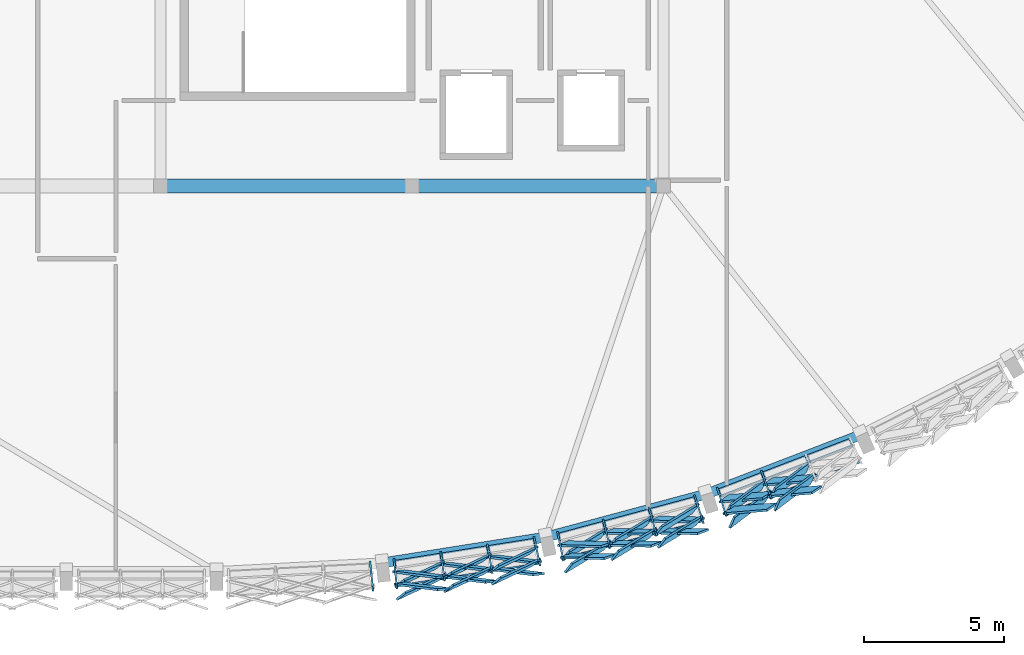
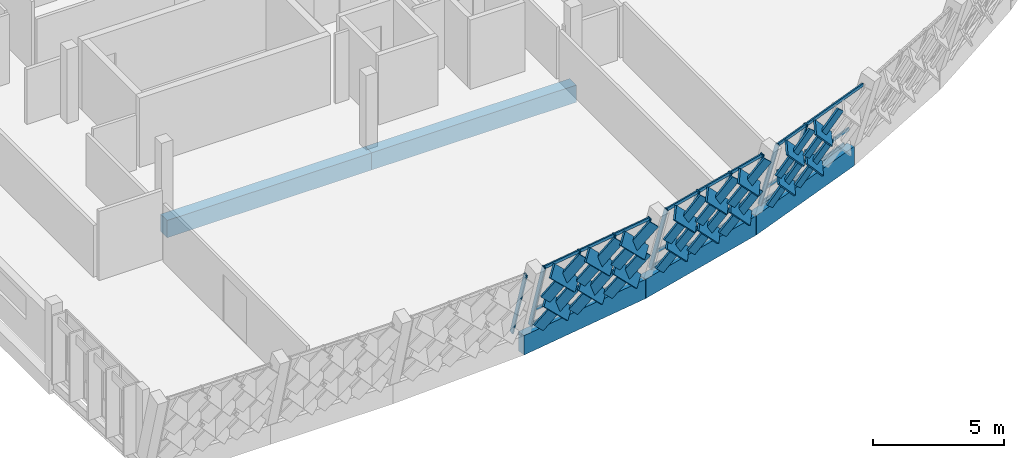
# One storey, part 5 of 24: 52 members, 5 beams, 4 elements without a shape of their own.
"""IFC4 building model written with IfcOpenShell, lengths in metres."""

from ifc_helpers import new_model, si_unit, direction, frame, origin, origin_2d, place, context, subcontext, project, spatial, rectangle, hollow_rectangle, extrude, material, material_profile, profile_set, type_object, element, aggregate, save


model = new_model("IFC4")

# Units and contexts
model_context = context("Model", 3, precision=1e-05, world=origin(), true_north=direction((0.0, 1.0)))
body_context = subcontext(model_context, "Body", "Model", "MODEL_VIEW")
ifc_project = project(units=[si_unit("LENGTHUNIT", "METRE"), si_unit("AREAUNIT", "SQUARE_METRE"), si_unit("VOLUMEUNIT", "CUBIC_METRE"), si_unit("PLANEANGLEUNIT", "RADIAN"), si_unit("MASSUNIT", "GRAM", prefix="KILO")], contexts=[model_context])

# Site, building, storey
site_placement = place(None, origin())
site = spatial("IfcSite", under=ifc_project, at=site_placement, CompositionType="ELEMENT")
building_placement = place(site_placement, origin())
building = spatial("IfcBuilding", under=site, at=building_placement, Name="Chiffa Square Polytechnic", CompositionType="ELEMENT")
storey_placement = place(building_placement, frame((0.0, 0.0, 26.39990234375)))
storey = spatial("IfcBuildingStorey", under=building, at=storey_placement, Name="L06", CompositionType="ELEMENT", Elevation=26.39990234375)

# Beams
ifc_material_1 = material(Name="Concrete C40/50", Category="concrete")
ifc_material_profile_1 = material_profile(ifc_material_1, rectangle(XDim=0.5, YDim=0.800048828125, at=origin_2d()), Name="RC 500x800")
ifc_profile_set_1 = profile_set([ifc_material_profile_1], Name="Concrete C40/50")
beam_type_1 = type_object("IfcBeamType", Name="BM-RC-500X800", PredefinedType="BEAM", material=ifc_profile_set_1)
for number, where, z_axis, x_axis, name in (
    (1, (121.199951171875, 14.39990234375, -0.619873046875), (1.0, 0.0, 0.0), (0.0, 1.0, 0.0), "Primary floor girder BM-V1-L06-X-1212-0144"),
    (2, (130.199951171875, 14.39990234375, -0.619873046875), (1.0, 0.0, 0.0), (0.0, 1.0, 0.0), "Primary floor girder BM-V1-L06-X-1302-0144"),
):
    element("IfcBeam", number, at=place(storey_placement, frame(where, z_axis=z_axis, x_axis=x_axis)), inside=storey, type_object=beam_type_1, Name=name, PredefinedType="BEAM", context=body_context, shape_type="SweptSolid", body=[
        extrude(rectangle(XDim=0.5, YDim=0.800048828125, at=origin_2d()), origin(), (0.0, 0.0, 1.0), 9.0),
    ])

# Curtain wall, member
ifc_material_2 = material(Name="Aluminium EN AW-6060 T66 and glulam shading", Category="wood")
curtain_wall_type_1 = type_object("IfcCurtainWallType", Name="CW-PROW-LEAN-150", PredefinedType="USERDEFINED", material=ifc_material_2)
curtain_wall_1_placement = place(storey_placement, origin())
curtain_wall_1 = element("IfcCurtainWall", 3, at=curtain_wall_1_placement, inside=storey, type_object=curtain_wall_type_1, Name="Outward-leaning diamond-fin prow curtain wall CW-V1-L06-097", ObjectType="CURTAIN WALL", PredefinedType="USERDEFINED")
ifc_material_3 = material(Name="Aluminium EN AW-6060 T66", Category="aluminium")
ifc_material_profile_2 = material_profile(ifc_material_3, hollow_rectangle(XDim=0.06494140625, YDim=0.179931640625, WallThickness=0.00390625, at=origin_2d()), Name="ALU 65x180x4")
ifc_profile_set_2 = profile_set([ifc_material_profile_2], Name="Aluminium EN AW-6060 T66")
member_type_1 = type_object("IfcMemberType", Name="CWM-ALU-75X180", PredefinedType="MULLION", material=ifc_profile_set_2)
member_1_placement = place(storey_placement, frame((128.702880859375, 0.884033203125, 0.0), z_axis=(0.028495519451, -0.270853565651, 0.962198706788), x_axis=(0.994511331447, 0.104628923459, 0.0)))
member_1 = element("IfcMember", 4, at=member_1_placement, type_object=member_type_1, Name="Leaning prow mullion CW-V1-L06-097-M03", PredefinedType="MULLION", context=body_context, shape_type="SweptSolid", body=[
    extrude(hollow_rectangle(XDim=0.06494140625, YDim=0.179931640625, WallThickness=0.00390625, at=origin_2d()), origin(), (0.0, 0.0, 1.0), 3.34130859375),
])
aggregate(curtain_wall_1, [member_1])

# Curtain wall, members
curtain_wall_type_2 = type_object("IfcCurtainWallType", Name="CW-PROW-LEAN-300", PredefinedType="USERDEFINED", material=ifc_material_2)
curtain_wall_2_placement = place(storey_placement, origin())
curtain_wall_2 = element("IfcCurtainWall", 5, at=curtain_wall_2_placement, inside=storey, type_object=curtain_wall_type_2, Name="Outward-leaning diamond-fin prow curtain wall CW-V1-L06-098", ObjectType="CURTAIN WALL", PredefinedType="USERDEFINED")
member_2_placement = place(storey_placement, frame((129.556884765625, 0.97412109375, 0.0), z_axis=(0.028495519451, -0.270853565651, 0.962198706788), x_axis=(0.994511331447, 0.104628923459, 0.0)))
member_2 = element("IfcMember", 6, at=member_2_placement, type_object=member_type_1, Name="Leaning prow mullion CW-V1-L06-098-M00", PredefinedType="MULLION", context=body_context, shape_type="SweptSolid", body=[
    extrude(hollow_rectangle(XDim=0.06494140625, YDim=0.179931640625, WallThickness=0.00390625, at=origin_2d()), origin(), (0.0, 0.0, 1.0), 3.34130859375),
])
member_3_placement = place(storey_placement, frame((131.229736328125, 1.239013671875, 0.0), z_axis=(0.037778869994, -0.269347997678, 0.96230162274), x_axis=(0.99030629966, 0.138900802204, 0.0)))
member_3 = element("IfcMember", 7, at=member_3_placement, type_object=member_type_1, Name="Leaning prow mullion CW-V1-L06-098-M01", PredefinedType="MULLION", context=body_context, shape_type="SweptSolid", body=[
    extrude(hollow_rectangle(XDim=0.06494140625, YDim=0.179931640625, WallThickness=0.00390625, at=origin_2d()), origin(), (0.0, 0.0, 1.0), 3.341064453125),
])
member_4_placement = place(storey_placement, frame((132.90234375, 1.50390625, 0.0), z_axis=(0.04720494273, -0.267884396361, 0.962293948629), x_axis=(0.984826798838, 0.173540128764, 0.0)))
member_4 = element("IfcMember", 8, at=member_4_placement, type_object=member_type_1, Name="Leaning prow mullion CW-V1-L06-098-M02", PredefinedType="MULLION", context=body_context, shape_type="SweptSolid", body=[
    extrude(hollow_rectangle(XDim=0.06494140625, YDim=0.179931640625, WallThickness=0.00390625, at=origin_2d()), origin(), (0.0, 0.0, 1.0), 3.341064453125),
])
member_5_placement = place(storey_placement, frame((134.574951171875, 1.76904296875, 0.0), z_axis=(0.056552881333, -0.266397681317, 0.962202705776), x_axis=(0.978201106396, 0.207659807008, 0.0)))
member_5 = element("IfcMember", 9, at=member_5_placement, type_object=member_type_1, Name="Leaning prow mullion CW-V1-L06-098-M03", PredefinedType="MULLION", context=body_context, shape_type="SweptSolid", body=[
    extrude(hollow_rectangle(XDim=0.06494140625, YDim=0.179931640625, WallThickness=0.00390625, at=origin_2d()), origin(), (0.0, 0.0, 1.0), 3.34130859375),
])

curtain_wall_3_placement = place(storey_placement, origin())
curtain_wall_3 = element("IfcCurtainWall", 10, at=curtain_wall_3_placement, inside=storey, type_object=curtain_wall_type_1, Name="Outward-leaning diamond-fin prow curtain wall CW-V1-L06-099", ObjectType="CURTAIN WALL", PredefinedType="USERDEFINED")
member_6_placement = place(storey_placement, frame((135.4150390625, 1.947021484375, 0.0), z_axis=(0.056552881333, -0.266397681317, 0.962202705776), x_axis=(0.978201106396, 0.207659807008, 0.0)))
member_6 = element("IfcMember", 11, at=member_6_placement, type_object=member_type_1, Name="Leaning prow mullion CW-V1-L06-099-M00", PredefinedType="MULLION", context=body_context, shape_type="SweptSolid", body=[
    extrude(hollow_rectangle(XDim=0.06494140625, YDim=0.179931640625, WallThickness=0.00390625, at=origin_2d()), origin(), (0.0, 0.0, 1.0), 3.34130859375),
])
member_7_placement = place(storey_placement, frame((137.051025390625, 2.3857421875, 0.0), z_axis=(0.065765457679, -0.263938703486, 0.962294791308), x_axis=(0.970331832665, 0.241777034717, 0.0)))
member_7 = element("IfcMember", 12, at=member_7_placement, type_object=member_type_1, Name="Leaning prow mullion CW-V1-L06-099-M01", PredefinedType="MULLION", context=body_context, shape_type="SweptSolid", body=[
    extrude(hollow_rectangle(XDim=0.06494140625, YDim=0.179931640625, WallThickness=0.00390625, at=origin_2d()), origin(), (0.0, 0.0, 1.0), 3.341064453125),
])
member_8_placement = place(storey_placement, frame((138.68701171875, 2.82421875, 0.0), z_axis=(0.074901746765, -0.261388827493, 0.962323027467), x_axis=(0.961310688805, 0.275466440041, 0.0)))
member_8 = element("IfcMember", 13, at=member_8_placement, type_object=member_type_1, Name="Leaning prow mullion CW-V1-L06-099-M02", PredefinedType="MULLION", context=body_context, shape_type="SweptSolid", body=[
    extrude(hollow_rectangle(XDim=0.06494140625, YDim=0.179931640625, WallThickness=0.00390625, at=origin_2d()), origin(), (0.0, 0.0, 1.0), 3.341064453125),
])
member_9_placement = place(storey_placement, frame((140.322998046875, 3.262939453125, 0.0), z_axis=(0.084101974166, -0.258882097714, 0.962240571492), x_axis=(0.951071542737, 0.308970743915, 0.0)))
member_9 = element("IfcMember", 14, at=member_9_placement, type_object=member_type_1, Name="Leaning prow mullion CW-V1-L06-099-M03", PredefinedType="MULLION", context=body_context, shape_type="SweptSolid", body=[
    extrude(hollow_rectangle(XDim=0.06494140625, YDim=0.179931640625, WallThickness=0.00390625, at=origin_2d()), origin(), (0.0, 0.0, 1.0), 3.34130859375),
])

curtain_wall_4_placement = place(storey_placement, origin())
curtain_wall_4 = element("IfcCurtainWall", 15, at=curtain_wall_4_placement, inside=storey, type_object=curtain_wall_type_2, Name="Outward-leaning diamond-fin prow curtain wall CW-V1-L06-100", ObjectType="CURTAIN WALL", PredefinedType="USERDEFINED")
member_10_placement = place(storey_placement, frame((141.138916015625, 3.528076171875, 0.0), z_axis=(0.084101974166, -0.258882097714, 0.962240571492), x_axis=(0.951071542737, 0.308970743915, 0.0)))
member_10 = element("IfcMember", 16, at=member_10_placement, type_object=member_type_1, Name="Leaning prow mullion CW-V1-L06-100-M00", PredefinedType="MULLION", context=body_context, shape_type="SweptSolid", body=[
    extrude(hollow_rectangle(XDim=0.06494140625, YDim=0.179931640625, WallThickness=0.00390625, at=origin_2d()), origin(), (0.0, 0.0, 1.0), 3.34130859375),
])
member_11_placement = place(storey_placement, frame((142.72021484375, 4.135009765625, 0.0), z_axis=(0.093023326241, -0.255540119296, 0.962312791251), x_axis=(0.939675684953, 0.342066670559, 0.0)))
member_11 = element("IfcMember", 17, at=member_11_placement, type_object=member_type_1, Name="Leaning prow mullion CW-V1-L06-100-M01", PredefinedType="MULLION", context=body_context, shape_type="SweptSolid", body=[
    extrude(hollow_rectangle(XDim=0.06494140625, YDim=0.179931640625, WallThickness=0.00390625, at=origin_2d()), origin(), (0.0, 0.0, 1.0), 3.341064453125),
])

# Member
ifc_material_4 = material(Name="Glulam GL28h", Category="wood")
ifc_material_profile_3 = material_profile(ifc_material_4, rectangle(XDim=0.080078125, YDim=0.580078125, at=origin_2d()), Name="GL28h 80x580")
ifc_profile_set_3 = profile_set([ifc_material_profile_3], Name="Glulam GL28h")
member_type_2 = type_object("IfcMemberType", Name="CWM-GL-80X580", PredefinedType="MULLION", material=ifc_profile_set_3)
member_12_placement = place(storey_placement, frame((129.708984375, 0.60693359375, 0.0400390625), z_axis=(0.700040885538, -0.091626079049, 0.708200127234), x_axis=(0.01833205312, 0.993713204587, 0.110444569166)))
member_12 = element("IfcMember", 18, at=member_12_placement, type_object=member_type_2, Name="Diamond glulam fin CW-V1-L06-098-DF01A", PredefinedType="MULLION", context=body_context, shape_type="SweptSolid", body=[
    extrude(rectangle(XDim=0.080078125, YDim=0.580078125, at=origin_2d()), origin(), (0.0, 0.0, 1.0), 2.214111328125),
])

member_13_placement = place(storey_placement, frame((131.197998046875, 0.843017578125, 0.0400390625), z_axis=(-0.645068596612, -0.302874232713, 0.701536673898), x_axis=(0.519114193586, -0.847403428469, 0.111480417277)))
member_13 = element("IfcMember", 19, at=member_13_placement, type_object=member_type_2, Name="Diamond glulam fin CW-V1-L06-098-DF01B", PredefinedType="MULLION", context=body_context, shape_type="SweptSolid", body=[
    extrude(rectangle(XDim=0.080078125, YDim=0.580078125, at=origin_2d()), origin(), (0.0, 0.0, 1.0), 2.2353515625),
])

member_14_placement = place(storey_placement, frame((129.756103515625, 0.166015625, 1.608154296875), z_axis=(0.703331111699, -0.090415730229, 0.705088890172), x_axis=(0.016534600081, 0.993690595711, 0.110930640472)))
member_14 = element("IfcMember", 20, at=member_14_placement, type_object=member_type_2, Name="Diamond glulam fin CW-V1-L06-098-DF02A", PredefinedType="MULLION", context=body_context, shape_type="SweptSolid", body=[
    extrude(rectangle(XDim=0.080078125, YDim=0.580078125, at=origin_2d()), origin(), (0.0, 0.0, 1.0), 2.22216796875),
])

member_15_placement = place(storey_placement, frame((131.259033203125, 0.404052734375, 1.608154296875), z_axis=(-0.648820776566, -0.302543692091, 0.698211224682), x_axis=(0.516399078806, -0.848993637867, 0.111990152554)))
member_15 = element("IfcMember", 21, at=member_15_placement, type_object=member_type_2, Name="Diamond glulam fin CW-V1-L06-098-DF02B", PredefinedType="MULLION", context=body_context, shape_type="SweptSolid", body=[
    extrude(rectangle(XDim=0.080078125, YDim=0.580078125, at=origin_2d()), origin(), (0.0, 0.0, 1.0), 2.244140625),
])

member_16_placement = place(storey_placement, frame((131.382080078125, 0.8720703125, 0.0400390625), z_axis=(0.70349565716, -0.090433763105, 0.704922403423), x_axis=(0.016556096374, 0.993687347197, 0.110956530645)))
member_16 = element("IfcMember", 22, at=member_16_placement, type_object=member_type_2, Name="Diamond glulam fin CW-V1-L06-098-DF03A", PredefinedType="MULLION", context=body_context, shape_type="SweptSolid", body=[
    extrude(rectangle(XDim=0.080078125, YDim=0.580078125, at=origin_2d()), origin(), (0.0, 0.0, 1.0), 2.224609375),
])

member_17_placement = place(storey_placement, frame((132.87109375, 1.10791015625, 0.0400390625), z_axis=(-0.641345543775, -0.303281280238, 0.704766882407), x_axis=(0.52189919263, -0.845756771149, 0.110980704572)))
member_17 = element("IfcMember", 23, at=member_17_placement, type_object=member_type_2, Name="Diamond glulam fin CW-V1-L06-098-DF03B", PredefinedType="MULLION", context=body_context, shape_type="SweptSolid", body=[
    extrude(rectangle(XDim=0.080078125, YDim=0.580078125, at=origin_2d()), origin(), (0.0, 0.0, 1.0), 2.22509765625),
])

member_18_placement = place(storey_placement, frame((131.444091796875, 0.43310546875, 1.608154296875), z_axis=(0.706995404019, -0.088661399824, 0.701638550022), x_axis=(0.013991907224, 0.993669885492, 0.111464726257)))
member_18 = element("IfcMember", 24, at=member_18_placement, type_object=member_type_2, Name="Diamond glulam fin CW-V1-L06-098-DF04A", PredefinedType="MULLION", context=body_context, shape_type="SweptSolid", body=[
    extrude(rectangle(XDim=0.080078125, YDim=0.580078125, at=origin_2d()), origin(), (0.0, 0.0, 1.0), 2.233154296875),
])

member_19_placement = place(storey_placement, frame((132.947021484375, 0.6708984375, 1.608154296875), z_axis=(-0.644912028183, -0.302664715837, 0.701771006591), x_axis=(0.51900093141, -0.847477549595, 0.111444318507)))
member_19 = element("IfcMember", 25, at=member_19_placement, type_object=member_type_2, Name="Diamond glulam fin CW-V1-L06-098-DF04B", PredefinedType="MULLION", context=body_context, shape_type="SweptSolid", body=[
    extrude(rectangle(XDim=0.080078125, YDim=0.580078125, at=origin_2d()), origin(), (0.0, 0.0, 1.0), 2.232666015625),
])

member_20_placement = place(storey_placement, frame((133.054931640625, 1.136962890625, 0.0400390625), z_axis=(0.706997643006, -0.088593184252, 0.701644910541), x_axis=(0.013896139165, 0.993671339298, 0.111463746457)))
member_20 = element("IfcMember", 26, at=member_20_placement, type_object=member_type_2, Name="Diamond glulam fin CW-V1-L06-098-DF05A", PredefinedType="MULLION", context=body_context, shape_type="SweptSolid", body=[
    extrude(rectangle(XDim=0.080078125, YDim=0.580078125, at=origin_2d()), origin(), (0.0, 0.0, 1.0), 2.23486328125),
])

member_21_placement = place(storey_placement, frame((134.5439453125, 1.373046875, 0.0400390625), z_axis=(-0.637287635107, -0.303591081407, 0.708305672312), x_axis=(0.524810806117, -0.844025635616, 0.110428004624)))
member_21 = element("IfcMember", 27, at=member_21_placement, type_object=member_type_2, Name="Diamond glulam fin CW-V1-L06-098-DF05B", PredefinedType="MULLION", context=body_context, shape_type="SweptSolid", body=[
    extrude(rectangle(XDim=0.080078125, YDim=0.580078125, at=origin_2d()), origin(), (0.0, 0.0, 1.0), 2.2138671875),
])

member_22_placement = place(storey_placement, frame((133.133056640625, 0.700927734375, 1.608154296875), z_axis=(0.710415544576, -0.087373821764, 0.698337718654), x_axis=(0.012139970027, 0.993637333193, 0.111970849836)))
member_22 = element("IfcMember", 28, at=member_22_placement, type_object=member_type_2, Name="Diamond glulam fin CW-V1-L06-098-DF06A", PredefinedType="MULLION", context=body_context, shape_type="SweptSolid", body=[
    extrude(rectangle(XDim=0.080078125, YDim=0.580078125, at=origin_2d()), origin(), (0.0, 0.0, 1.0), 2.24365234375),
])

member_23_placement = place(storey_placement, frame((134.635009765625, 0.93896484375, 1.608154296875), z_axis=(-0.641140568042, -0.30327036292, 0.70495805477), x_axis=(0.52201894581, -0.845686761498, 0.110950987566)))
member_23 = element("IfcMember", 29, at=member_23_placement, type_object=member_type_2, Name="Diamond glulam fin CW-V1-L06-098-DF06B", PredefinedType="MULLION", context=body_context, shape_type="SweptSolid", body=[
    extrude(rectangle(XDim=0.080078125, YDim=0.580078125, at=origin_2d()), origin(), (0.0, 0.0, 1.0), 2.22265625),
])

member_24_placement = place(storey_placement, frame((135.60498046875, 1.597900390625, 0.0400390625), z_axis=(0.705612592706, -0.017976688436, 0.708369753509), x_axis=(-0.15867948148, 0.97028188008, 0.182685235709)))
member_24 = element("IfcMember", 30, at=member_24_placement, type_object=member_type_2, Name="Diamond glulam fin CW-V1-L06-099-DF01A", PredefinedType="MULLION", context=body_context, shape_type="SweptSolid", body=[
    extrude(rectangle(XDim=0.080078125, YDim=0.580078125, at=origin_2d()), origin(), (0.0, 0.0, 1.0), 2.213623046875),
])

member_25_placement = place(storey_placement, frame((137.06103515625, 1.988037109375, 0.0400390625), z_axis=(-0.610099857887, -0.36854967252, 0.701390976769), x_axis=(0.654826511309, -0.732918342345, 0.184480198236)))
member_25 = element("IfcMember", 31, at=member_25_placement, type_object=member_type_2, Name="Diamond glulam fin CW-V1-L06-099-DF01B", PredefinedType="MULLION", context=body_context, shape_type="SweptSolid", body=[
    extrude(rectangle(XDim=0.080078125, YDim=0.580078125, at=origin_2d()), origin(), (0.0, 0.0, 1.0), 2.23583984375),
])

member_26_placement = place(storey_placement, frame((135.697021484375, 1.1640625, 1.608154296875), z_axis=(0.709042527723, -0.016256900713, 0.704978302545), x_axis=(-0.160272978117, 0.969854415302, 0.183561939422)))
member_26 = element("IfcMember", 32, at=member_26_placement, type_object=member_type_2, Name="Diamond glulam fin CW-V1-L06-099-DF02A", PredefinedType="MULLION", context=body_context, shape_type="SweptSolid", body=[
    extrude(rectangle(XDim=0.080078125, YDim=0.580078125, at=origin_2d()), origin(), (0.0, 0.0, 1.0), 2.22265625),
])

member_27_placement = place(storey_placement, frame((137.1669921875, 1.55810546875, 1.608154296875), z_axis=(-0.613529376594, -0.368987880391, 0.698161620386), x_axis=(0.652677654829, -0.73462655542, 0.185298955633)))
member_27 = element("IfcMember", 33, at=member_27_placement, type_object=member_type_2, Name="Diamond glulam fin CW-V1-L06-099-DF02B", PredefinedType="MULLION", context=body_context, shape_type="SweptSolid", body=[
    extrude(rectangle(XDim=0.080078125, YDim=0.580078125, at=origin_2d()), origin(), (0.0, 0.0, 1.0), 2.244384765625),
])

member_28_placement = place(storey_placement, frame((137.240966796875, 2.037109375, 0.0400390625), z_axis=(0.709041100306, -0.01624428527, 0.704980028989), x_axis=(-0.160290626909, 0.969851582657, 0.183561495262)))
member_28 = element("IfcMember", 34, at=member_28_placement, type_object=member_type_2, Name="Diamond glulam fin CW-V1-L06-099-DF03A", PredefinedType="MULLION", context=body_context, shape_type="SweptSolid", body=[
    extrude(rectangle(XDim=0.080078125, YDim=0.580078125, at=origin_2d()), origin(), (0.0, 0.0, 1.0), 2.224365234375),
])

member_29_placement = place(storey_placement, frame((138.697021484375, 2.427001953125, 0.0400390625), z_axis=(-0.605938212896, -0.368655398862, 0.704934095531), x_axis=(0.65792374118, -0.730367845679, 0.183573311758)))
member_29 = element("IfcMember", 35, at=member_29_placement, type_object=member_type_2, Name="Diamond glulam fin CW-V1-L06-099-DF03B", PredefinedType="MULLION", context=body_context, shape_type="SweptSolid", body=[
    extrude(rectangle(XDim=0.080078125, YDim=0.580078125, at=origin_2d()), origin(), (0.0, 0.0, 1.0), 2.224365234375),
])

member_30_placement = place(storey_placement, frame((137.34912109375, 1.60693359375, 1.608154296875), z_axis=(0.712370959263, -0.014321761152, 0.701656970005), x_axis=(-0.16215010184, 0.969380936823, 0.184412428532)))
member_30 = element("IfcMember", 36, at=member_30_placement, type_object=member_type_2, Name="Diamond glulam fin CW-V1-L06-099-DF04A", PredefinedType="MULLION", context=body_context, shape_type="SweptSolid", body=[
    extrude(rectangle(XDim=0.080078125, YDim=0.580078125, at=origin_2d()), origin(), (0.0, 0.0, 1.0), 2.233154296875),
])

member_31_placement = place(storey_placement, frame((138.818115234375, 2.0009765625, 1.608154296875), z_axis=(-0.609509975638, -0.368985859691, 0.701674443703), x_axis=(0.655586777777, -0.732256564073, 0.184407974815)))
member_31 = element("IfcMember", 37, at=member_31_placement, type_object=member_type_2, Name="Diamond glulam fin CW-V1-L06-099-DF04B", PredefinedType="MULLION", context=body_context, shape_type="SweptSolid", body=[
    extrude(rectangle(XDim=0.080078125, YDim=0.580078125, at=origin_2d()), origin(), (0.0, 0.0, 1.0), 2.233154296875),
])

member_32_placement = place(storey_placement, frame((138.876953125, 2.47509765625, 0.0400390625), z_axis=(0.712586471164, -0.013869499132, 0.701447188396), x_axis=(-0.162716677891, 0.969275823248, 0.184465880865)))
member_32 = element("IfcMember", 38, at=member_32_placement, type_object=member_type_2, Name="Diamond glulam fin CW-V1-L06-099-DF05A", PredefinedType="MULLION", context=body_context, shape_type="SweptSolid", body=[
    extrude(rectangle(XDim=0.080078125, YDim=0.580078125, at=origin_2d()), origin(), (0.0, 0.0, 1.0), 2.235595703125),
])

member_33_placement = place(storey_placement, frame((140.333984375, 2.865966796875, 0.0400390625), z_axis=(-0.602373266497, -0.368435478886, 0.70809727136), x_axis=(0.660342566618, -0.728387221755, 0.18275598457)))
member_33 = element("IfcMember", 39, at=member_33_placement, type_object=member_type_2, Name="Diamond glulam fin CW-V1-L06-099-DF05B", PredefinedType="MULLION", context=body_context, shape_type="SweptSolid", body=[
    extrude(rectangle(XDim=0.080078125, YDim=0.580078125, at=origin_2d()), origin(), (0.0, 0.0, 1.0), 2.214599609375),
])

member_34_placement = place(storey_placement, frame((139.0, 2.050048828125, 1.608154296875), z_axis=(0.715702039264, -0.012512273414, 0.698293658862), x_axis=(-0.163819849936, 0.968937410423, 0.185265624038)))
member_34 = element("IfcMember", 40, at=member_34_placement, type_object=member_type_2, Name="Diamond glulam fin CW-V1-L06-099-DF06A", PredefinedType="MULLION", context=body_context, shape_type="SweptSolid", body=[
    extrude(rectangle(XDim=0.080078125, YDim=0.580078125, at=origin_2d()), origin(), (0.0, 0.0, 1.0), 2.243896484375),
])

member_35_placement = place(storey_placement, frame((140.469970703125, 2.444091796875, 1.608154296875), z_axis=(-0.605894743779, -0.368896219748, 0.704845471374), x_axis=(0.658139206056, -0.730167963714, 0.183596106217)))
member_35 = element("IfcMember", 41, at=member_35_placement, type_object=member_type_2, Name="Diamond glulam fin CW-V1-L06-099-DF06B", PredefinedType="MULLION", context=body_context, shape_type="SweptSolid", body=[
    extrude(rectangle(XDim=0.080078125, YDim=0.580078125, at=origin_2d()), origin(), (0.0, 0.0, 1.0), 2.22314453125),
])

member_36_placement = place(storey_placement, frame((141.364013671875, 3.200927734375, 0.0400390625), z_axis=(0.703749720466, 0.055576599673, 0.708270832741), x_axis=(-0.326531740987, 0.91070018242, 0.252986560647)))
member_36 = element("IfcMember", 42, at=member_36_placement, type_object=member_type_2, Name="Diamond glulam fin CW-V1-L06-100-DF01A", PredefinedType="MULLION", context=body_context, shape_type="SweptSolid", body=[
    extrude(rectangle(XDim=0.080078125, YDim=0.580078125, at=origin_2d()), origin(), (0.0, 0.0, 1.0), 2.214111328125),
])

member_37_placement = place(storey_placement, frame((142.77197265625, 3.740966796875, 0.0400390625), z_axis=(-0.568128322758, -0.430300959567, 0.701477934847), x_axis=(0.764062707809, -0.59243237606, 0.255405674038)))
member_37 = element("IfcMember", 43, at=member_37_placement, type_object=member_type_2, Name="Diamond glulam fin CW-V1-L06-100-DF01B", PredefinedType="MULLION", context=body_context, shape_type="SweptSolid", body=[
    extrude(rectangle(XDim=0.080078125, YDim=0.580078125, at=origin_2d()), origin(), (0.0, 0.0, 1.0), 2.2353515625),
])

member_38_placement = place(storey_placement, frame((141.501953125, 2.779052734375, 1.608154296875), z_axis=(0.706849572427, 0.057997913635, 0.70498221536), x_axis=(-0.328141761875, 0.909793327057, 0.254163502802)))
member_38 = element("IfcMember", 44, at=member_38_placement, type_object=member_type_2, Name="Diamond glulam fin CW-V1-L06-100-DF02A", PredefinedType="MULLION", context=body_context, shape_type="SweptSolid", body=[
    extrude(rectangle(XDim=0.080078125, YDim=0.580078125, at=origin_2d()), origin(), (0.0, 0.0, 1.0), 2.22265625),
])

member_39_placement = place(storey_placement, frame((142.922119140625, 3.323974609375, 1.608154296875), z_axis=(-0.571865038946, -0.430530814138, 0.69829334474), x_axis=(0.761432155274, -0.59532892019, 0.256523974903)))
member_39 = element("IfcMember", 45, at=member_39_placement, type_object=member_type_2, Name="Diamond glulam fin CW-V1-L06-100-DF02B", PredefinedType="MULLION", context=body_context, shape_type="SweptSolid", body=[
    extrude(rectangle(XDim=0.080078125, YDim=0.580078125, at=origin_2d()), origin(), (0.0, 0.0, 1.0), 2.243896484375),
])

member_40_placement = place(storey_placement, frame((142.946044921875, 3.80810546875, 0.0400390625), z_axis=(0.706795769418, 0.057957472628, 0.705039482369), x_axis=(-0.32811615191, 0.909808262732, 0.254143101265)))
member_40 = element("IfcMember", 46, at=member_40_placement, type_object=member_type_2, Name="Diamond glulam fin CW-V1-L06-100-DF03A", PredefinedType="MULLION", context=body_context, shape_type="SweptSolid", body=[
    extrude(rectangle(XDim=0.080078125, YDim=0.580078125, at=origin_2d()), origin(), (0.0, 0.0, 1.0), 2.22412109375),
])

member_41_placement = place(storey_placement, frame((144.35302734375, 4.347900390625, 0.0400390625), z_axis=(-0.564257153446, -0.429695926034, 0.704964733823), x_axis=(0.766603688258, -0.589674938848, 0.254169729993)))
member_41 = element("IfcMember", 47, at=member_41_placement, type_object=member_type_2, Name="Diamond glulam fin CW-V1-L06-100-DF03B", PredefinedType="MULLION", context=body_context, shape_type="SweptSolid", body=[
    extrude(rectangle(XDim=0.080078125, YDim=0.580078125, at=origin_2d()), origin(), (0.0, 0.0, 1.0), 2.224365234375),
])

member_42_placement = place(storey_placement, frame((143.097900390625, 3.39208984375, 1.608154296875), z_axis=(0.710141434574, 0.059898030806, 0.701506499476), x_axis=(-0.328973657373, 0.909147634465, 0.255395598047)))
member_42 = element("IfcMember", 48, at=member_42_placement, type_object=member_type_2, Name="Diamond glulam fin CW-V1-L06-100-DF04A", PredefinedType="MULLION", context=body_context, shape_type="SweptSolid", body=[
    extrude(rectangle(XDim=0.080078125, YDim=0.580078125, at=origin_2d()), origin(), (0.0, 0.0, 1.0), 2.233642578125),
])

member_43_placement = place(storey_placement, frame((144.51806640625, 3.93701171875, 1.608154296875), z_axis=(-0.567860723704, -0.430323413265, 0.701680809536), x_axis=(0.764269854936, -0.592195989006, 0.25533409377)))
member_43 = element("IfcMember", 49, at=member_43_placement, type_object=member_type_2, Name="Diamond glulam fin CW-V1-L06-100-DF04B", PredefinedType="MULLION", context=body_context, shape_type="SweptSolid", body=[
    extrude(rectangle(XDim=0.080078125, YDim=0.580078125, at=origin_2d()), origin(), (0.0, 0.0, 1.0), 2.233154296875),
])

ifc_material_profile_4 = material_profile(ifc_material_3, hollow_rectangle(XDim=0.06494140625, YDim=0.139892578125, WallThickness=0.00390625, at=origin_2d()), Name="ALU 65x140x4")
ifc_profile_set_4 = profile_set([ifc_material_profile_4], Name="Aluminium EN AW-6060 T66")
member_type_3 = type_object("IfcMemberType", Name="CWT-ALU-75X140", PredefinedType="USERDEFINED", material=ifc_profile_set_4)
member_44_placement = place(storey_placement, frame((129.55810546875, 0.962646484375, 0.0400390625), z_axis=(0.987682592518, 0.156470752655, 0.0), x_axis=(-0.156470752655, 0.987682592518, 0.0)))
member_44 = element("IfcMember", 50, at=member_44_placement, type_object=member_type_3, Name="Leaning prow transom CW-V1-L06-098-T01", ObjectType="TRANSOM", PredefinedType="USERDEFINED", context=body_context, shape_type="SweptSolid", body=[
    extrude(hollow_rectangle(XDim=0.06494140625, YDim=0.139892578125, WallThickness=0.00390625, at=origin_2d()), origin(), (0.0, 0.0, 1.0), 5.081787109375),
])

member_45_placement = place(storey_placement, frame((129.58203125, 0.734619140625, 0.85009765625), z_axis=(0.987677914059, 0.156500281406, 0.0), x_axis=(-0.156500281406, 0.987677914059, 0.0)))
member_45 = element("IfcMember", 51, at=member_45_placement, type_object=member_type_3, Name="Leaning prow transom CW-V1-L06-098-T02", ObjectType="TRANSOM", PredefinedType="USERDEFINED", context=body_context, shape_type="SweptSolid", body=[
    extrude(hollow_rectangle(XDim=0.06494140625, YDim=0.139892578125, WallThickness=0.00390625, at=origin_2d()), origin(), (0.0, 0.0, 1.0), 5.10595703125),
])

member_46_placement = place(storey_placement, frame((129.65087890625, 0.080322265625, 3.175048828125), z_axis=(0.987678277707, 0.156497986393, 0.0), x_axis=(-0.156497986393, 0.987678277707, 0.0)))
member_46 = element("IfcMember", 52, at=member_46_placement, type_object=member_type_3, Name="Leaning prow transom CW-V1-L06-098-T03", ObjectType="TRANSOM", PredefinedType="USERDEFINED", context=body_context, shape_type="SweptSolid", body=[
    extrude(hollow_rectangle(XDim=0.06494140625, YDim=0.139892578125, WallThickness=0.00390625, at=origin_2d()), origin(), (0.0, 0.0, 1.0), 5.174560546875),
])

aggregate(curtain_wall_2, [member_2, member_3, member_4, member_5, member_44, member_45, member_46, member_12, member_13, member_14, member_15, member_16, member_17, member_18, member_19, member_20, member_21, member_22, member_23])

member_47_placement = place(storey_placement, frame((135.41748046875, 1.935791015625, 0.0400390625), z_axis=(0.965873619746, 0.259013804032, 0.0), x_axis=(-0.259013804032, 0.965873619746, 0.0)))
member_47 = element("IfcMember", 53, at=member_47_placement, type_object=member_type_3, Name="Leaning prow transom CW-V1-L06-099-T01", ObjectType="TRANSOM", PredefinedType="USERDEFINED", context=body_context, shape_type="SweptSolid", body=[
    extrude(hollow_rectangle(XDim=0.06494140625, YDim=0.139892578125, WallThickness=0.00390625, at=origin_2d()), origin(), (0.0, 0.0, 1.0), 5.082275390625),
])

member_48_placement = place(storey_placement, frame((135.465087890625, 1.711669921875, 0.85009765625), z_axis=(0.965879309475, 0.258992585854, 0.0), x_axis=(-0.258992585854, 0.965879309475, 0.0)))
member_48 = element("IfcMember", 54, at=member_48_placement, type_object=member_type_3, Name="Leaning prow transom CW-V1-L06-099-T02", ObjectType="TRANSOM", PredefinedType="USERDEFINED", context=body_context, shape_type="SweptSolid", body=[
    extrude(hollow_rectangle(XDim=0.06494140625, YDim=0.139892578125, WallThickness=0.00390625, at=origin_2d()), origin(), (0.0, 0.0, 1.0), 5.1064453125),
])

member_49_placement = place(storey_placement, frame((135.6015625, 1.068115234375, 3.175048828125), z_axis=(0.965873065114, 0.259015872267, 0.0), x_axis=(-0.259015872267, 0.965873065114, 0.0)))
member_49 = element("IfcMember", 55, at=member_49_placement, type_object=member_type_3, Name="Leaning prow transom CW-V1-L06-099-T03", ObjectType="TRANSOM", PredefinedType="USERDEFINED", context=body_context, shape_type="SweptSolid", body=[
    extrude(hollow_rectangle(XDim=0.06494140625, YDim=0.139892578125, WallThickness=0.00390625, at=origin_2d()), origin(), (0.0, 0.0, 1.0), 5.175537109375),
])

aggregate(curtain_wall_3, [member_6, member_7, member_8, member_9, member_47, member_48, member_49, member_24, member_25, member_26, member_27, member_28, member_29, member_30, member_31, member_32, member_33, member_34, member_35])

member_50_placement = place(storey_placement, frame((141.142578125, 3.51708984375, 0.0400390625), z_axis=(0.933576913242, 0.358377101754, 0.0), x_axis=(-0.358377101754, 0.933576913242, 0.0)))
member_50 = element("IfcMember", 56, at=member_50_placement, type_object=member_type_3, Name="Leaning prow transom CW-V1-L06-100-T01", ObjectType="TRANSOM", PredefinedType="USERDEFINED", context=body_context, shape_type="SweptSolid", body=[
    extrude(hollow_rectangle(XDim=0.06494140625, YDim=0.139892578125, WallThickness=0.00390625, at=origin_2d()), origin(), (0.0, 0.0, 1.0), 5.082763671875),
])

member_51_placement = place(storey_placement, frame((141.21337890625, 3.29931640625, 0.85009765625), z_axis=(0.933575835936, 0.358379908136, 0.0), x_axis=(-0.358379908136, 0.933575835936, 0.0)))
member_51 = element("IfcMember", 57, at=member_51_placement, type_object=member_type_3, Name="Leaning prow transom CW-V1-L06-100-T02", ObjectType="TRANSOM", PredefinedType="USERDEFINED", context=body_context, shape_type="SweptSolid", body=[
    extrude(hollow_rectangle(XDim=0.06494140625, YDim=0.139892578125, WallThickness=0.00390625, at=origin_2d()), origin(), (0.0, 0.0, 1.0), 5.1064453125),
])

member_52_placement = place(storey_placement, frame((141.41650390625, 2.673828125, 3.175048828125), z_axis=(0.933597046197, 0.358324650746, 0.0), x_axis=(-0.358324650746, 0.933597046197, 0.0)))
member_52 = element("IfcMember", 58, at=member_52_placement, type_object=member_type_3, Name="Leaning prow transom CW-V1-L06-100-T03", ObjectType="TRANSOM", PredefinedType="USERDEFINED", context=body_context, shape_type="SweptSolid", body=[
    extrude(hollow_rectangle(XDim=0.06494140625, YDim=0.139892578125, WallThickness=0.00390625, at=origin_2d()), origin(), (0.0, 0.0, 1.0), 5.175537109375),
])

aggregate(curtain_wall_4, [member_10, member_11, member_50, member_51, member_52, member_36, member_37, member_38, member_39, member_40, member_41, member_42, member_43])

# Beams
ifc_material_5 = material(Name="Glulam GL32c", Category="wood")
ifc_material_profile_5 = material_profile(ifc_material_5, rectangle(XDim=0.360107421875, YDim=0.89990234375, at=origin_2d()), Name="GL32c 360x900")
ifc_profile_set_5 = profile_set([ifc_material_profile_5], Name="Glulam GL32c")
beam_type_2 = type_object("IfcBeamType", Name="RB-GL-360X900", PredefinedType="SPANDREL", material=ifc_profile_set_5)
beam_1_placement = place(storey_placement, frame((129.132080078125, 0.906982421875, -0.669921875), z_axis=(0.987699576642, 0.156363506933, 0.0), x_axis=(-0.156363506933, 0.987699576642, 0.0)))
element("IfcBeam", 59, at=beam_1_placement, inside=storey, type_object=beam_type_2, Name="Prow perimeter edge beam RB-V1-PROW-L06-04", PredefinedType="SPANDREL", context=body_context, shape_type="SweptSolid", body=[
    extrude(rectangle(XDim=0.360107421875, YDim=0.89990234375, at=origin_2d()), origin(), (0.0, 0.0, 1.0), 5.94091796875),
])
beam_2_placement = place(storey_placement, frame((135.0, 1.8359375, -0.669921875), z_axis=(0.965901265184, 0.258910691004, 0.0), x_axis=(-0.258910691004, 0.965901265184, 0.0)))
element("IfcBeam", 60, at=beam_2_placement, inside=storey, type_object=beam_type_2, Name="Prow perimeter edge beam RB-V1-PROW-L06-05", PredefinedType="SPANDREL", context=body_context, shape_type="SweptSolid", body=[
    extrude(rectangle(XDim=0.360107421875, YDim=0.89990234375, at=origin_2d()), origin(), (0.0, 0.0, 1.0), 5.940673828125),
])
beam_3_placement = place(storey_placement, frame((140.738037109375, 3.3740234375, -0.669921875), z_axis=(0.933578438519, 0.358373128363, 0.0), x_axis=(-0.358373128363, 0.933578438519, 0.0)))
element("IfcBeam", 61, at=beam_3_placement, inside=storey, type_object=beam_type_2, Name="Prow perimeter edge beam RB-V1-PROW-L06-06", PredefinedType="SPANDREL", context=body_context, shape_type="SweptSolid", body=[
    extrude(rectangle(XDim=0.360107421875, YDim=0.89990234375, at=origin_2d()), origin(), (0.0, 0.0, 1.0), 5.9404296875),
])

save(model, "model.ifc")
